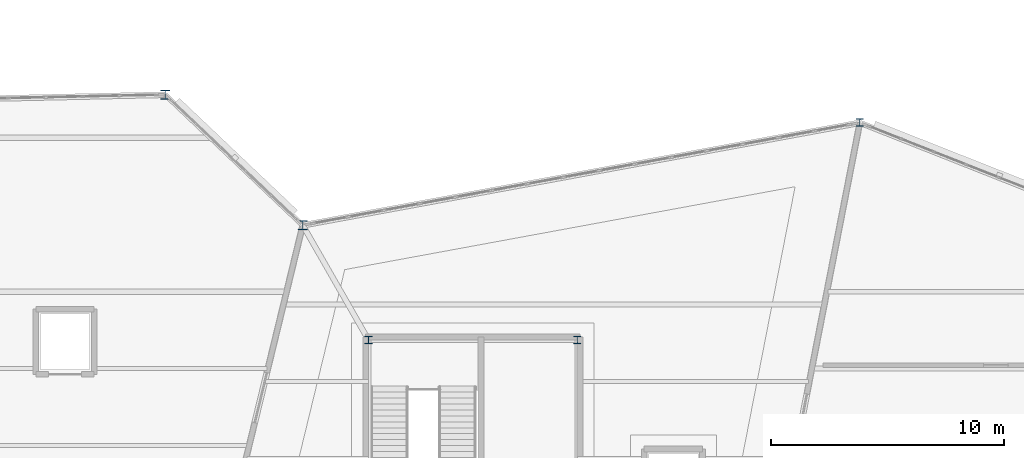
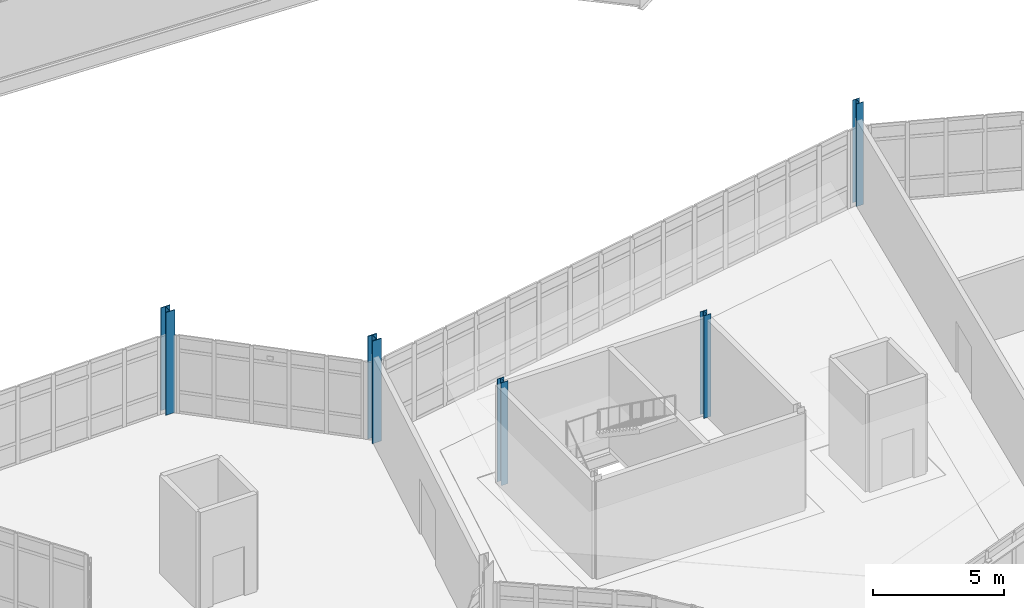
# One storey, part 12 of 134: 5 columns.
"""IFC4 building model written with IfcOpenShell, lengths in metres."""

from ifc_helpers import new_model, si_unit, direction, frame, origin, origin_2d, place, context, subcontext, project, spatial, i_section, extrude, material, material_profile, profile_set, type_object, element, save


model = new_model("IFC4")

# Units and contexts
model_context = context("Model", 3, precision=1e-05, world=origin(), true_north=direction((0.0, 1.0)))
body_context = subcontext(model_context, "Body", "Model", "MODEL_VIEW")
ifc_project = project(units=[si_unit("LENGTHUNIT", "METRE"), si_unit("AREAUNIT", "SQUARE_METRE"), si_unit("VOLUMEUNIT", "CUBIC_METRE"), si_unit("PLANEANGLEUNIT", "RADIAN"), si_unit("MASSUNIT", "GRAM", prefix="KILO")], contexts=[model_context])

# Site, building, storey
site_placement = place(None, origin())
site = spatial("IfcSite", under=ifc_project, at=site_placement, CompositionType="ELEMENT")
building_placement = place(site_placement, origin())
building = spatial("IfcBuilding", under=site, at=building_placement, Name="Tameran Prism Museum", CompositionType="ELEMENT")
storey_placement = place(building_placement, frame((0.0, 0.0, 5.39990234375)))
storey = spatial("IfcBuildingStorey", under=building, at=storey_placement, Name="L01", CompositionType="ELEMENT", Elevation=5.39990234375)

# Columns
ifc_material_1 = material(Name="Steel Grade 300PLUS (300 MPa)", Category="steel")
ifc_material_profile_1 = material_profile(ifc_material_1, i_section(OverallWidth=0.306884765625, OverallDepth=0.31494140625, WebThickness=0.011962890625, FlangeThickness=0.018798828125, FilletRadius=0.0166015625, at=origin_2d()))
ifc_profile_set_1 = profile_set([ifc_material_profile_1])
column_type_1 = type_object("IfcColumnType", Name="COL-UC310C", PredefinedType="COLUMN", material=ifc_profile_set_1)
for number, where, z_axis, x_axis, name in (
    (1, (125.60009765625, 47.39990234375, 0.0), (0.0, 0.0, 1.0), (1.0, 0.0, 0.0), "Column CV-50 L01"),
    (2, (113.47998046875, 38.080078125, 0.0), (0.0, 0.0, 1.0), (1.0, 0.0, 0.0), "Column CC-4-3 L01"),
    (3, (104.52001953125, 38.080078125, 0.0), (0.0, 0.0, 1.0), (1.0, 0.0, 0.0), "Column CC-4-4 L01"),
):
    element("IfcColumn", number, at=place(storey_placement, frame(where, z_axis=z_axis, x_axis=x_axis)), inside=storey, type_object=column_type_1, Name=name, PredefinedType="COLUMN", context=body_context, shape_type="SweptSolid", body=[
        extrude(i_section(OverallWidth=0.306884765625, OverallDepth=0.31494140625, WebThickness=0.011962890625, FlangeThickness=0.018798828125, FilletRadius=0.0166015625, at=origin_2d()), origin(), (0.0, 0.0, 1.0), 4.800048828125),
    ])
ifc_material_2 = material(Name="Steel Grade 350 (350 MPa)", Category="steel")
ifc_material_profile_2 = material_profile(ifc_material_2, i_section(OverallWidth=0.39990234375, OverallDepth=0.39990234375, WebThickness=0.02197265625, FlangeThickness=0.035888671875, at=origin_2d()))
ifc_profile_set_2 = profile_set([ifc_material_profile_2])
column_type_2 = type_object("IfcColumnType", Name="COL-WC400", PredefinedType="COLUMN", material=ifc_profile_set_2)
for number, where, z_axis, x_axis, name in (
    (4, (95.800048828125, 48.60009765625, 0.0), (0.0, 0.0, 1.0), (1.0, 0.0, 0.0), "Column CV-38 L01"),
    (5, (101.699951171875, 43.0, 0.0), (0.0, 0.0, 1.0), (1.0, 0.0, 0.0), "Column CV-41 L01"),
):
    element("IfcColumn", number, at=place(storey_placement, frame(where, z_axis=z_axis, x_axis=x_axis)), inside=storey, type_object=column_type_2, Name=name, PredefinedType="COLUMN", context=body_context, shape_type="SweptSolid", body=[
        extrude(i_section(OverallWidth=0.39990234375, OverallDepth=0.39990234375, WebThickness=0.02197265625, FlangeThickness=0.035888671875, at=origin_2d()), origin(), (0.0, 0.0, 1.0), 4.800048828125),
    ])

save(model, "model.ifc")
